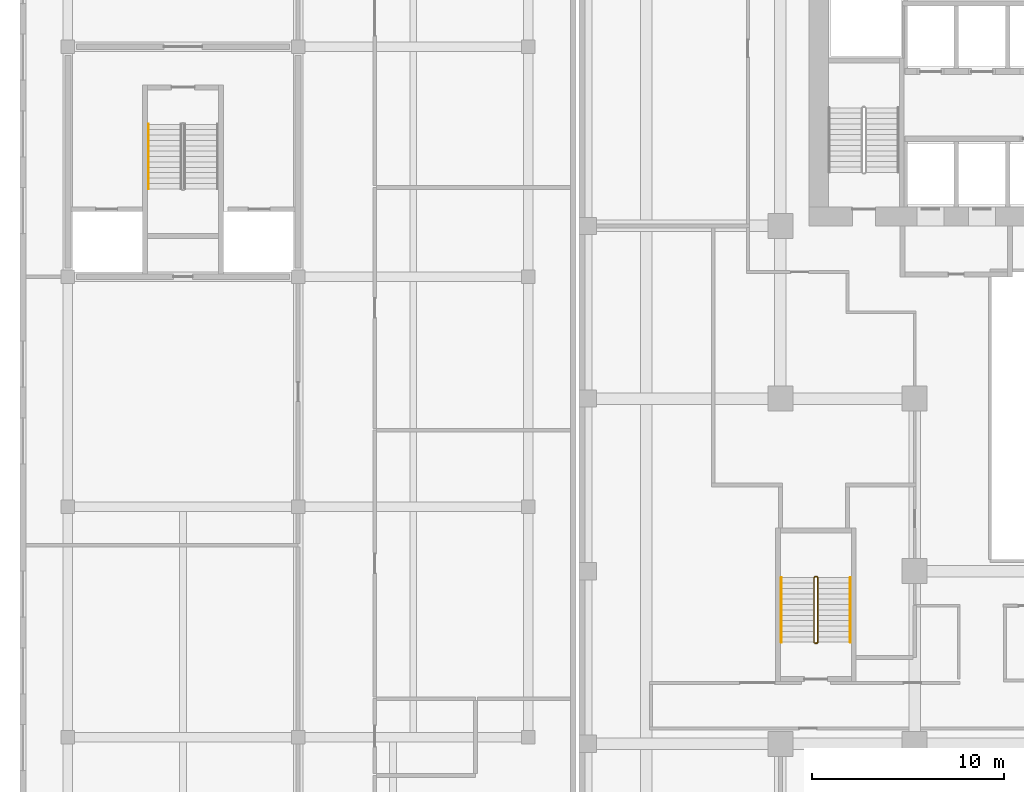
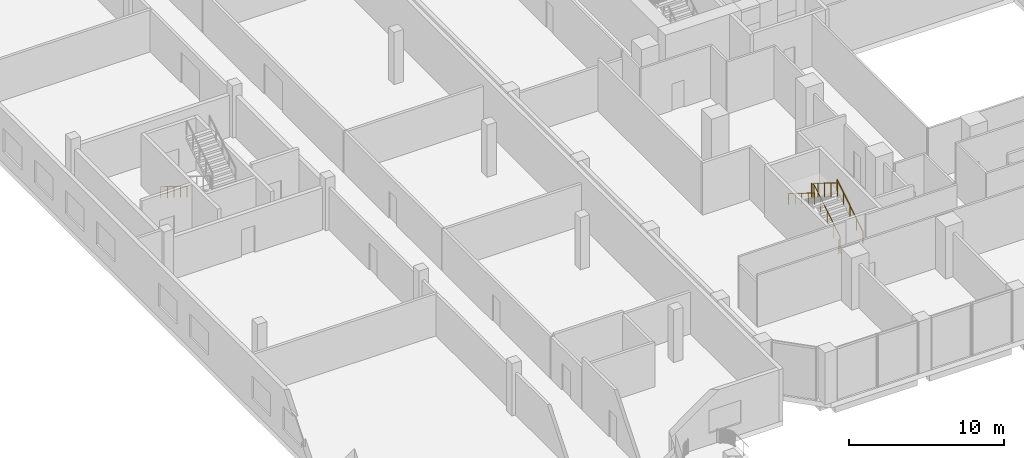
# One storey, part 29 of 36: 4 railings.
"""IFC4 building model written with IfcOpenShell, lengths in metres."""

from ifc_helpers import new_model, si_unit, direction, frame, origin, origin_2d, place, context, subcontext, project, spatial, circle, extrude, material, type_object, element, save


model = new_model("IFC4")

# Units and contexts
model_context = context("Model", 3, precision=1e-05, world=origin(), true_north=direction((0.0, 1.0)))
body_context = subcontext(model_context, "Body", "Model", "MODEL_VIEW")
ifc_project = project(units=[si_unit("LENGTHUNIT", "METRE"), si_unit("AREAUNIT", "SQUARE_METRE"), si_unit("VOLUMEUNIT", "CUBIC_METRE"), si_unit("PLANEANGLEUNIT", "RADIAN"), si_unit("MASSUNIT", "GRAM", prefix="KILO")], contexts=[model_context])

# Site, building, storey
site_placement = place(None, origin())
site = spatial("IfcSite", under=ifc_project, at=site_placement, CompositionType="ELEMENT")
building_placement = place(site_placement, origin())
building = spatial("IfcBuilding", under=site, at=building_placement, Name="Kilnfold Tower and Market Hall", CompositionType="ELEMENT")
storey_placement = place(building_placement, frame((0.0, 0.0, 18.0)))
storey = spatial("IfcBuildingStorey", under=building, at=storey_placement, Name="L03", CompositionType="ELEMENT", Elevation=18.0)

# Railings
ifc_material_1 = material(Name="Stainless steel 316", Category="steel")
railing_type_1 = type_object("IfcRailingType", Name="CORE STAIR GUARD 1100", PredefinedType="GUARDRAIL", material=ifc_material_1)
railing_1_placement = place(storey_placement, frame((-15.699951171875, -13.75, 0.0)))
element("IfcRailing", 1, at=railing_1_placement, inside=storey, type_object=railing_type_1, Name="L03 ST3 stair guard 1", PredefinedType="GUARDRAIL", context=body_context, shape_type="SweptSolid", body=[
    extrude(circle(Radius=0.02392578125, at=origin_2d()), frame((0.0, 0.0, 1.076171875), z_axis=(1.0, 0.0, 0.0), x_axis=(0.0, 1.0, 0.0)), (0.0, 0.0, 1.0), 0.099853515625),
    extrude(circle(Radius=0.02392578125, at=origin_2d()), frame((0.099853515625, 0.0, 1.076171875), z_axis=(0.267629722418, 0.267629722418, 0.925607186314), x_axis=(-0.707106781187, 0.707106781187, 0.0)), (0.0, 0.0, 1.0), 0.18701171875),
    extrude(circle(Radius=0.02392578125, at=origin_2d()), frame((0.14990234375, 0.050048828125, 1.2490234375), z_axis=(0.0, 0.850606129759, 0.525803396734), x_axis=(-1.0, 0.0, 0.0)), (0.0, 0.0, 1.0), 3.949951171875),
    extrude(circle(Radius=0.02392578125, at=origin_2d()), frame((0.14990234375, 3.409912109375, 3.326171875), z_axis=(-0.707106781187, 0.707106781187, 0.0), x_axis=(-0.707106781187, -0.707106781187, 0.0)), (0.0, 0.0, 1.0), 0.07080078125),
    extrude(circle(Radius=0.02392578125, at=origin_2d()), frame((0.099853515625, 3.4599609375, 3.326171875), z_axis=(-1.0, 0.0, 0.0), x_axis=(0.0, -1.0, 0.0)), (0.0, 0.0, 1.0), 0.099853515625),
    extrude(circle(Radius=0.02392578125, at=origin_2d()), frame((0.0, 3.4599609375, 3.326171875), z_axis=(-0.267629722418, -0.267629722418, 0.925607186314), x_axis=(0.707106781187, -0.707106781187, 0.0)), (0.0, 0.0, 1.0), 0.18701171875),
    extrude(circle(Radius=0.02392578125, at=origin_2d()), frame((-0.050048828125, 3.409912109375, 3.4990234375), z_axis=(0.0, -0.850606129759, 0.525803396734), x_axis=(1.0, 0.0, 0.0)), (0.0, 0.0, 1.0), 3.949951171875),
    extrude(circle(Radius=0.02099609375, at=origin_2d()), origin(), (0.0, 0.0, 1.0), 1.052001953125),
    extrude(circle(Radius=0.02099609375, at=origin_2d()), frame((0.099853515625, 0.0, 0.0)), (0.0, 0.0, 1.0), 1.052001953125),
    extrude(circle(Radius=0.02099609375, at=origin_2d()), frame((0.14990234375, 0.050048828125, 0.173095703125)), (0.0, 0.0, 1.0), 1.052001953125),
    extrude(circle(Radius=0.02099609375, at=origin_2d()), frame((0.14990234375, 0.89013671875, 0.6923828125)), (0.0, 0.0, 1.0), 1.052001953125),
    extrude(circle(Radius=0.02099609375, at=origin_2d()), frame((0.14990234375, 1.72998046875, 1.21142578125)), (0.0, 0.0, 1.0), 1.052001953125),
    extrude(circle(Radius=0.02099609375, at=origin_2d()), frame((0.14990234375, 2.56982421875, 1.730712890625)), (0.0, 0.0, 1.0), 1.052001953125),
    extrude(circle(Radius=0.02099609375, at=origin_2d()), frame((0.14990234375, 3.409912109375, 2.25)), (0.0, 0.0, 1.0), 1.052001953125),
    extrude(circle(Radius=0.02099609375, at=origin_2d()), frame((0.099853515625, 3.4599609375, 2.25)), (0.0, 0.0, 1.0), 1.052001953125),
    extrude(circle(Radius=0.02099609375, at=origin_2d()), frame((0.0, 3.4599609375, 2.25)), (0.0, 0.0, 1.0), 1.052001953125),
    extrude(circle(Radius=0.02099609375, at=origin_2d()), frame((-0.050048828125, 3.409912109375, 2.423095703125)), (0.0, 0.0, 1.0), 1.052001953125),
    extrude(circle(Radius=0.02099609375, at=origin_2d()), frame((-0.050048828125, 2.56982421875, 2.9423828125)), (0.0, 0.0, 1.0), 1.052001953125),
    extrude(circle(Radius=0.02099609375, at=origin_2d()), frame((-0.050048828125, 1.72998046875, 3.46142578125)), (0.0, 0.0, 1.0), 1.052001953125),
    extrude(circle(Radius=0.02099609375, at=origin_2d()), frame((-0.050048828125, 0.89013671875, 3.980712890625)), (0.0, 0.0, 1.0), 1.052001953125),
    extrude(circle(Radius=0.02099609375, at=origin_2d()), frame((-0.050048828125, 0.050048828125, 4.5)), (0.0, 0.0, 1.0), 1.052001953125),
])
ifc_material_2 = material(Name="Stainless steel 316", Category="steel")
railing_type_2 = type_object("IfcRailingType", Name="CORE STAIR HANDRAIL 900", PredefinedType="HANDRAIL", material=ifc_material_2)
railing_2_placement = place(storey_placement, frame((-13.85009765625, -13.699951171875, 0.173095703125)))
element("IfcRailing", 2, at=railing_2_placement, inside=storey, type_object=railing_type_2, Name="L03 ST3 stair handrail 1", PredefinedType="HANDRAIL", context=body_context, shape_type="SweptSolid", body=[
    extrude(circle(Radius=0.02392578125, at=origin_2d()), frame((0.0, 0.0, 0.8759765625), z_axis=(0.0, 0.850606129759, 0.525803396734), x_axis=(-1.0, 0.0, 0.0)), (0.0, 0.0, 1.0), 3.949951171875),
    extrude(circle(Radius=0.02099609375, at=origin_2d()), origin(), (0.0, 0.0, 1.0), 0.851806640625),
    extrude(circle(Radius=0.02099609375, at=origin_2d()), frame((0.0, 0.83984375, 0.519287109375)), (0.0, 0.0, 1.0), 0.851806640625),
    extrude(circle(Radius=0.02099609375, at=origin_2d()), frame((0.0, 1.679931640625, 1.03857421875)), (0.0, 0.0, 1.0), 0.851806640625),
    extrude(circle(Radius=0.02099609375, at=origin_2d()), frame((0.0, 2.52001953125, 1.5576171875)), (0.0, 0.0, 1.0), 0.851806640625),
    extrude(circle(Radius=0.02099609375, at=origin_2d()), frame((0.0, 3.35986328125, 2.076904296875)), (0.0, 0.0, 1.0), 0.851806640625),
])
railing_3_placement = place(storey_placement, frame((-17.449951171875, -10.340087890625, 2.423095703125)))
element("IfcRailing", 3, at=railing_3_placement, inside=storey, type_object=railing_type_2, Name="L03 ST3 stair handrail 2", PredefinedType="HANDRAIL", context=body_context, shape_type="SweptSolid", body=[
    extrude(circle(Radius=0.02392578125, at=origin_2d()), frame((0.0, 0.0, 0.8759765625), z_axis=(0.0, -0.850606129759, 0.525803396734), x_axis=(1.0, 0.0, 0.0)), (0.0, 0.0, 1.0), 3.949951171875),
    extrude(circle(Radius=0.02099609375, at=origin_2d()), origin(), (0.0, 0.0, 1.0), 0.851806640625),
    extrude(circle(Radius=0.02099609375, at=origin_2d()), frame((0.0, -0.83984375, 0.519287109375)), (0.0, 0.0, 1.0), 0.851806640625),
    extrude(circle(Radius=0.02099609375, at=origin_2d()), frame((0.0, -1.679931640625, 1.03857421875)), (0.0, 0.0, 1.0), 0.851806640625),
    extrude(circle(Radius=0.02099609375, at=origin_2d()), frame((0.0, -2.52001953125, 1.5576171875)), (0.0, 0.0, 1.0), 0.851806640625),
    extrude(circle(Radius=0.02099609375, at=origin_2d()), frame((0.0, -3.35986328125, 2.076904296875)), (0.0, 0.0, 1.0), 0.851806640625),
])
ifc_material_3 = material(Name="Steel S355", Category="steel")
railing_type_3 = type_object("IfcRailingType", Name="HALL STAIR HANDRAIL", PredefinedType="HANDRAIL", material=ifc_material_3)
railing_4_placement = place(storey_placement, frame((-50.449951171875, 13.300048828125, 0.173095703125)))
element("IfcRailing", 4, at=railing_4_placement, inside=storey, type_object=railing_type_3, Name="L03 MS2 stair handrail 1", PredefinedType="HANDRAIL", context=body_context, shape_type="SweptSolid", body=[
    extrude(circle(Radius=0.02392578125, at=origin_2d()), frame((0.0, 0.0, 0.8759765625), z_axis=(0.0, -0.850623216509, 0.525775754039), x_axis=(1.0, 0.0, 0.0)), (0.0, 0.0, 1.0), 3.9501953125),
    extrude(circle(Radius=0.02099609375, at=origin_2d()), origin(), (0.0, 0.0, 1.0), 0.851806640625),
    extrude(circle(Radius=0.02099609375, at=origin_2d()), frame((0.0, -0.840087890625, 0.519287109375)), (0.0, 0.0, 1.0), 0.851806640625),
    extrude(circle(Radius=0.02099609375, at=origin_2d()), frame((0.0, -1.68017578125, 1.03857421875)), (0.0, 0.0, 1.0), 0.851806640625),
    extrude(circle(Radius=0.02099609375, at=origin_2d()), frame((0.0, -2.52001953125, 1.5576171875)), (0.0, 0.0, 1.0), 0.851806640625),
    extrude(circle(Radius=0.02099609375, at=origin_2d()), frame((0.0, -3.360107421875, 2.076904296875)), (0.0, 0.0, 1.0), 0.851806640625),
])

save(model, "model.ifc")
